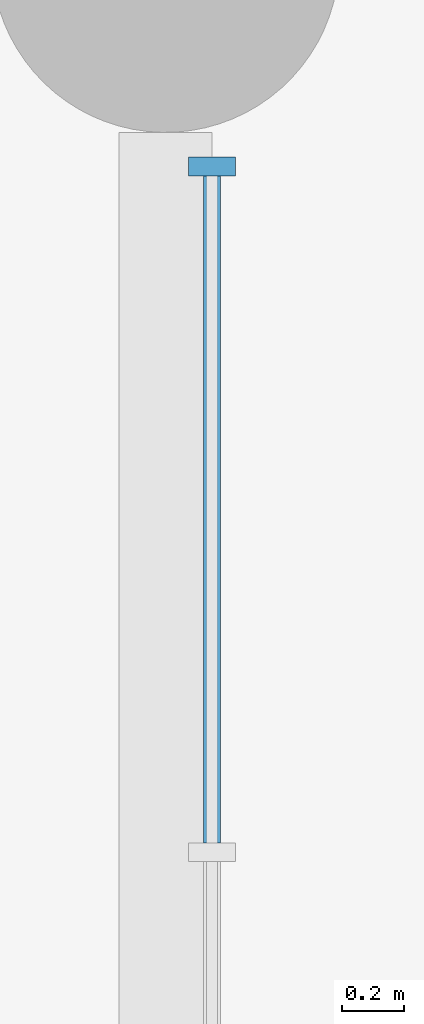
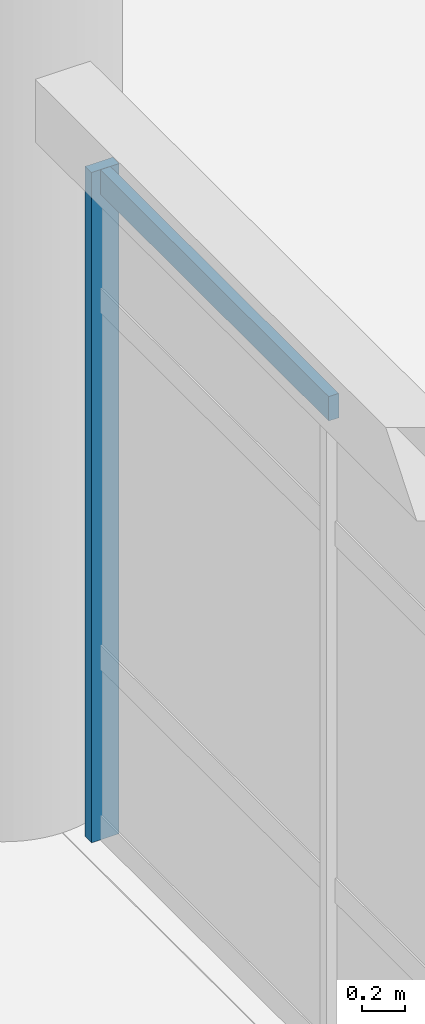
# One storey, part 7 of 42: 2 members, 1 element without a shape of its own.
"""IFC4 building model written with IfcOpenShell, lengths in metres."""

import ifcopenshell
import ifcopenshell.guid

model = None  # the IFC model being written
_history = None  # IfcOwnerHistory: only IFC2X3 demands one
_inside = {}  # id of a spatial element -> (the spatial element, [elements in it])
_under = {}  # id of a project, library or spatial element -> (it, [spatial elements below it])
_declared = {}  # id of a project -> (the project, [libraries it declares])
_typed = {}  # id of a type object -> (the type object, [elements of that type])
_made_of = {}  # id of a material, layer set ... -> (it, [elements and type objects made of it])


def new_model(schema):
    """Start an empty IFC model of exactly this schema.

    Asked for "IFC4X3", IfcOpenShell would pick the latest addendum, in which some entities
    have other attributes; the version numbers below select the first issue.
    IFC2X3 requires an IfcOwnerHistory on every rooted entity: one is made here for all.
    """
    global model, _history
    if schema == "IFC4X3":
        model = ifcopenshell.file(schema_version=(4, 3, 0, 0))
    else:
        model = ifcopenshell.file(schema=schema)
    _inside.clear()
    _under.clear()
    _declared.clear()
    _typed.clear()
    _made_of.clear()
    _history = None
    if model.schema == "IFC2X3":
        org = make("IfcOrganization", Name="unknown")
        user = make(
            "IfcPersonAndOrganization",
            ThePerson=make("IfcPerson", FamilyName="unknown"),
            TheOrganization=org,
        )
        app = make(
            "IfcApplication",
            ApplicationDeveloper=org,
            Version="unknown",
            ApplicationFullName="unknown",
            ApplicationIdentifier="unknown",
        )
        _history = make(
            "IfcOwnerHistory",
            OwningUser=user,
            OwningApplication=app,
            ChangeAction="ADDED",
            CreationDate=0,
        )
    return model


def make(cls, **values):
    """One entity of the class cls with the attributes given. An attribute that is None is left unset."""
    return model.create_entity(
        cls, **{name: value for name, value in values.items() if value is not None}
    )


def rooted(cls, **values):
    """An entity with a GlobalId (a new one), such as an element, a storey or a relation."""
    return make(cls, GlobalId=ifcopenshell.guid.new(), OwnerHistory=_history, **values)


def si_unit(unit_type, name, prefix=None):
    """IfcSIUnit, for example si_unit("LENGTHUNIT", "METRE", prefix="MILLI")."""
    return make("IfcSIUnit", UnitType=unit_type, Prefix=prefix, Name=name)


def assignment(units):
    """IfcUnitAssignment: the units of a project."""
    return None if units is None else make("IfcUnitAssignment", Units=units)


def point(xyz):
    """IfcCartesianPoint."""
    return None if xyz is None else make("IfcCartesianPoint", Coordinates=xyz)


def direction(xyz):
    """IfcDirection."""
    return None if xyz is None else make("IfcDirection", DirectionRatios=xyz)


def frame(location, z_axis=None, x_axis=None):
    """IfcAxis2Placement3D, a coordinate frame: its origin and axes. An axis left out is left unset."""
    return make(
        "IfcAxis2Placement3D",
        Location=point(location),
        Axis=direction(z_axis),
        RefDirection=direction(x_axis),
    )


def frame_2d(location, x_axis=None):
    """IfcAxis2Placement2D, a coordinate frame in the plane: its origin and x axis."""
    return make(
        "IfcAxis2Placement2D", Location=point(location), RefDirection=direction(x_axis)
    )


def origin():
    """The frame at (0, 0, 0) with its axes left unset."""
    return frame((0.0, 0.0, 0.0))


def origin_2d():
    """The frame at (0, 0) in the plane with its x axis left unset."""
    return frame_2d((0.0, 0.0))


def place(relative_to, where):
    """IfcLocalPlacement: puts the frame where relative to a parent placement (None: the world)."""
    return make(
        "IfcLocalPlacement", PlacementRelTo=relative_to, RelativePlacement=where
    )


def context(
    kind, dimensions, precision=None, world=None, true_north=None, identifier=None
):
    """IfcGeometricRepresentationContext, for example the 3D "Model" context."""
    return make(
        "IfcGeometricRepresentationContext",
        ContextIdentifier=identifier,
        ContextType=kind,
        CoordinateSpaceDimension=dimensions,
        Precision=precision,
        WorldCoordinateSystem=world,
        TrueNorth=true_north,
    )


def subcontext(parent, identifier, kind, view, scale=None):
    """IfcGeometricRepresentationSubContext, for example "Body" below "Model"."""
    return make(
        "IfcGeometricRepresentationSubContext",
        ContextIdentifier=identifier,
        ContextType=kind,
        ParentContext=parent,
        TargetScale=scale,
        TargetView=view,
    )


def project(units=None, contexts=None):
    """IfcProject with its units and contexts."""
    return rooted(
        "IfcProject",
        Name="project",
        RepresentationContexts=contexts,
        UnitsInContext=assignment(units),
    )


def spatial(cls, under=None, at=None, **own):
    """A site, building, storey or space (cls), placed at a placement, below another one or the project."""
    s = rooted(cls, ObjectPlacement=at, **own)
    if under is not None:
        _under.setdefault(under.id(), (under, []))[1].append(s)
    return s


def profile(cls, at=None, kind="AREA", **sizes):
    """A parametric profile (cls). Its sizes go by their IFC names, for example OverallWidth=200.0."""
    return make(cls, ProfileType=kind, Position=at, **sizes)


def rectangle(**sizes):
    """IfcRectangleProfileDef."""
    return profile("IfcRectangleProfileDef", **sizes)


def extrude(swept, where, along, depth):
    """IfcExtrudedAreaSolid: the profile swept, set in the frame where, extruded along a direction by depth."""
    return make(
        "IfcExtrudedAreaSolid",
        SweptArea=swept,
        Position=where,
        ExtrudedDirection=direction(along),
        Depth=depth,
    )


def shape(context_of_items, identifier, shape_type, items):
    """IfcShapeRepresentation: the items that make up one representation, for example the "Body"."""
    return make(
        "IfcShapeRepresentation",
        ContextOfItems=context_of_items,
        RepresentationIdentifier=identifier,
        RepresentationType=shape_type,
        Items=items,
    )


def material(Name=None, Category=None):
    """IfcMaterial."""
    return make("IfcMaterial", Name=Name, Category=Category)


def material_profile(
    of_material, cross_section, Name=None, Category=None, Priority=None
):
    """IfcMaterialProfile: a cross section and its material."""
    return make(
        "IfcMaterialProfile",
        Name=Name,
        Material=of_material,
        Profile=cross_section,
        Priority=Priority,
        Category=Category,
    )


def profile_set(profiles, Name=None, composite=None):
    """IfcMaterialProfileSet."""
    return make(
        "IfcMaterialProfileSet",
        Name=Name,
        MaterialProfiles=profiles,
        CompositeProfile=composite,
    )


def made_of(thing, what):
    """Note that an element or type object is made of a material, layer set ...; save() writes the relation."""
    if what is not None:
        _made_of.setdefault(what.id(), (what, []))[1].append(thing)
    return thing


def type_object(cls, material=None, **own):
    """A type object (cls), such as IfcWallType, which elements share."""
    return made_of(rooted(cls, **own), material)


def element(
    cls,
    number,
    at=None,
    inside=None,
    cuts=None,
    type_object=None,
    material=None,
    context=None,
    identifier="Body",
    shape_type=None,
    held_by="IfcProductDefinitionShape",
    body=None,
    shapes=None,
    **own,
):
    """One element of the class cls, such as IfcWall. Its Tag is "e" and its number.

    at: its placement. inside: the storey or other place that contains it. cuts: it is an
    opening in that element (IfcRelVoidsElement). A single representation is given by context,
    identifier, shape_type and body (its items); several are given by shapes. held_by: the class
    of the entity that holds the representations. save() writes the other relations.
    """
    e = rooted(cls, Tag="e%d" % number, ObjectPlacement=at, **own)
    if body is not None:
        shapes = [shape(context, identifier, shape_type, body)]
    if shapes is not None:
        e.Representation = make(held_by, Representations=shapes)
    if inside is not None:
        _inside.setdefault(inside.id(), (inside, []))[1].append(e)
    if cuts is not None:
        rooted(
            "IfcRelVoidsElement", RelatingBuildingElement=cuts, RelatedOpeningElement=e
        )
    if type_object is not None:
        _typed.setdefault(type_object.id(), (type_object, []))[1].append(e)
    return made_of(e, material)


def aggregate(whole, parts):
    """IfcRelAggregates: a whole, such as a stair, and the parts it consists of."""
    return rooted("IfcRelAggregates", RelatingObject=whole, RelatedObjects=parts)


def save(model, path):
    """Write the relations noted so far, then the file.

    IfcRelAggregates (storeys below a building ...), IfcRelContainedInSpatialStructure (elements
    in a storey), IfcRelDefinesByType, IfcRelAssociatesMaterial and IfcRelDeclares: one each for
    every whole, place, type object, material and project.
    """
    for whole, parts in _under.values():
        aggregate(whole, parts)
    for where, things in _inside.values():
        rooted(
            "IfcRelContainedInSpatialStructure",
            RelatedElements=things,
            RelatingStructure=where,
        )
    for kind, things in _typed.values():
        rooted("IfcRelDefinesByType", RelatedObjects=things, RelatingType=kind)
    for what, things in _made_of.values():
        rooted("IfcRelAssociatesMaterial", RelatedObjects=things, RelatingMaterial=what)
    for by, libraries in _declared.values():
        rooted("IfcRelDeclares", RelatingContext=by, RelatedDefinitions=libraries)
    model.write(path)


model = new_model("IFC4")

# Units and contexts
model_context = context("Model", 3, precision=1e-05, world=origin(), true_north=direction((0.0, 1.0)))
body_context = subcontext(model_context, "Body", "Model", "MODEL_VIEW")
ifc_project = project(units=[si_unit("LENGTHUNIT", "METRE"), si_unit("AREAUNIT", "SQUARE_METRE"), si_unit("VOLUMEUNIT", "CUBIC_METRE"), si_unit("PLANEANGLEUNIT", "RADIAN"), si_unit("MASSUNIT", "GRAM", prefix="KILO")], contexts=[model_context])

# Site, building, storey
site_placement = place(None, origin())
site = spatial("IfcSite", under=ifc_project, at=site_placement, CompositionType="ELEMENT")
building_placement = place(site_placement, origin())
building = spatial("IfcBuilding", under=site, at=building_placement, Name="Pecanmere Concourse Central Library", CompositionType="ELEMENT")
storey_placement = place(building_placement, origin())
storey = spatial("IfcBuildingStorey", under=building, at=storey_placement, Name="L01", CompositionType="ELEMENT", Elevation=0.0)

# Curtain wall, members
ifc_material_1 = material(Name="Clear anodized aluminium alloy 6063-T6", Category="aluminium")
curtain_wall_type = type_object("IfcCurtainWallType", Name="CW_CLOISTER_GLAZ", PredefinedType="USERDEFINED", material=ifc_material_1)
curtain_wall_placement = place(storey_placement, origin())
curtain_wall = element("IfcCurtainWall", 1, at=curtain_wall_placement, inside=storey, type_object=curtain_wall_type, Name="Unitised Curtain Wall CW-04 L01-170", ObjectType="UNITISED CURTAIN WALL", PredefinedType="USERDEFINED")
ifc_material_2 = material(Name="Clear anodized aluminium alloy 6063-T6", Category="aluminium")
ifc_material_profile_1 = material_profile(ifc_material_2, rectangle(XDim=0.06005859375, YDim=0.14990234375, at=origin_2d()), Name="AL 60x150")
ifc_profile_set_1 = profile_set([ifc_material_profile_1], Name="Clear anodized aluminium alloy 6063-T6")
member_type_1 = type_object("IfcMemberType", Name="CWM_150x60", PredefinedType="MULLION", material=ifc_profile_set_1)
member_1_placement = place(storey_placement, frame((96.14990234375, 63.330078125, 0.0), z_axis=(0.0, 0.0, 1.0), x_axis=(0.0, -1.0, 0.0)))
member_1 = element("IfcMember", 2, at=member_1_placement, type_object=member_type_1, Name="CW-04 Mullion 1", PredefinedType="MULLION", context=body_context, shape_type="SweptSolid", body=[
    extrude(rectangle(XDim=0.06005859375, YDim=0.14990234375, at=origin_2d()), origin(), (0.0, 0.0, 1.0), 3.85009765625),
])
ifc_material_3 = material(Name="Clear anodized aluminium alloy 6063-T6", Category="aluminium")
ifc_material_profile_2 = material_profile(ifc_material_3, rectangle(XDim=0.054931640625, YDim=0.139892578125, at=origin_2d()), Name="AL 55x140")
ifc_profile_set_2 = profile_set([ifc_material_profile_2], Name="Clear anodized aluminium alloy 6063-T6")
member_type_2 = type_object("IfcMemberType", Name="CWT_140x55", PredefinedType="USERDEFINED", material=ifc_profile_set_2)
member_2_placement = place(storey_placement, frame((96.14990234375, 63.300048828125, 3.780029296875), z_axis=(0.0, -1.0, 0.0), x_axis=(1.0, 0.0, 0.0)))
member_2 = element("IfcMember", 3, at=member_2_placement, type_object=member_type_2, Name="CW-04 Transom 1.4", ObjectType="TRANSOM", PredefinedType="USERDEFINED", context=body_context, shape_type="SweptSolid", body=[
    extrude(rectangle(XDim=0.054931640625, YDim=0.139892578125, at=origin_2d()), origin(), (0.0, 0.0, 1.0), 2.150146484375),
])
aggregate(curtain_wall, [member_1, member_2])

save(model, "model.ifc")
